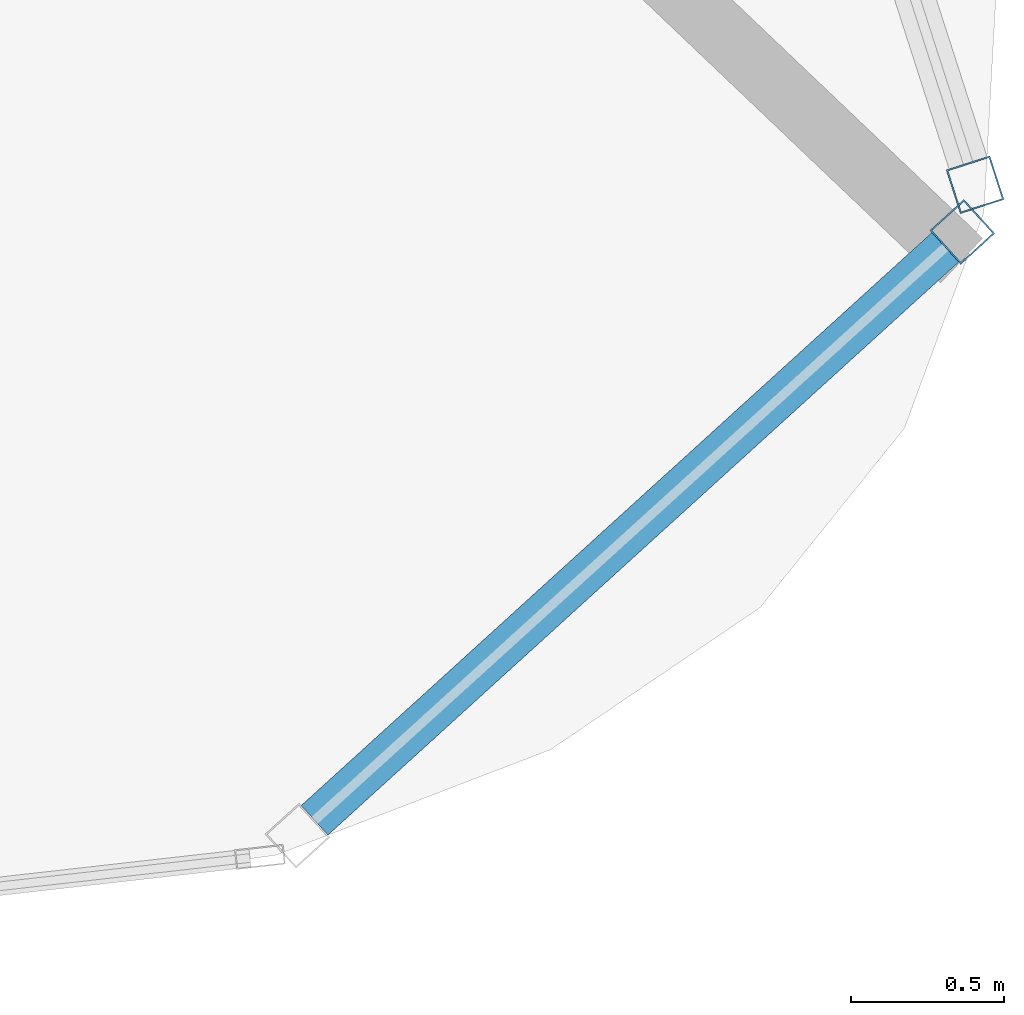
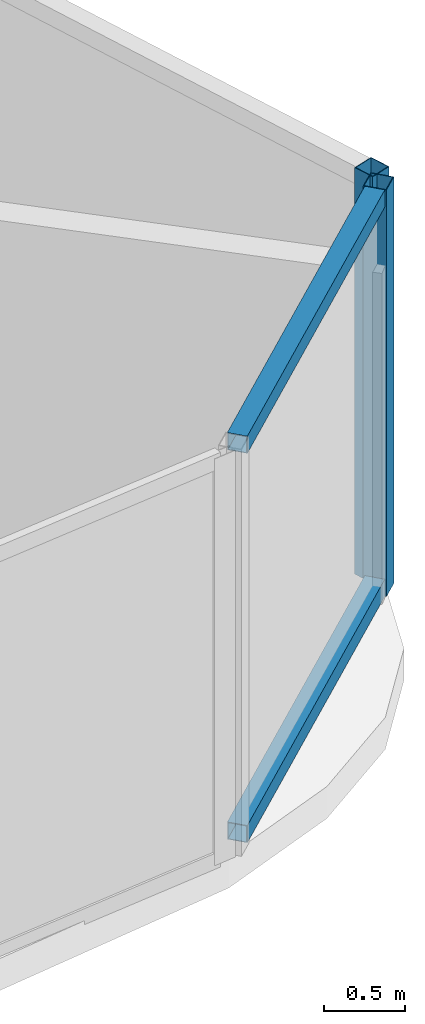
# One storey, part 15 of 32: 4 members, 2 elements without a shape of their own.
"""IFC4 building model written with IfcOpenShell, lengths in metres."""

from ifc_helpers import new_model, si_unit, direction, frame, origin, origin_2d, place, context, subcontext, project, spatial, hollow_rectangle, extrude, material, layer, layer_set, material_profile, profile_set, type_object, element, aggregate, save


model = new_model("IFC4")

# Units and contexts
model_context = context("Model", 3, precision=1e-05, world=origin(), true_north=direction((0.0, 1.0)))
body_context = subcontext(model_context, "Body", "Model", "MODEL_VIEW")
ifc_project = project(units=[si_unit("LENGTHUNIT", "METRE"), si_unit("AREAUNIT", "SQUARE_METRE"), si_unit("VOLUMEUNIT", "CUBIC_METRE"), si_unit("PLANEANGLEUNIT", "RADIAN"), si_unit("MASSUNIT", "GRAM", prefix="KILO")], contexts=[model_context])

# Site, building, storey
site_placement = place(None, origin())
site = spatial("IfcSite", under=ifc_project, at=site_placement, CompositionType="ELEMENT")
building_placement = place(site_placement, origin())
building = spatial("IfcBuilding", under=site, at=building_placement, Name="Orvanel Arch Residences", CompositionType="ELEMENT")
storey_placement = place(building_placement, frame((0.0, 0.0, 222.800048828125)))
storey = spatial("IfcBuildingStorey", under=building, at=storey_placement, Name="L63", CompositionType="ELEMENT", Elevation=222.800048828125)

# Curtain wall, member
ifc_material = material(Name="Bronze-anodised aluminium AA6063-T6", Category="aluminium")
ifc_layer = layer(ifc_material, 0.18994140625)
ifc_layer_set = layer_set([ifc_layer], Name="Bronze-anodised aluminium AA6063-T6")
curtain_wall_type = type_object("IfcCurtainWallType", Name="CW5-CRN-SYS", PredefinedType="NOTDEFINED", material=ifc_layer_set)
curtain_wall_1_placement = place(storey_placement, origin())
curtain_wall_1 = element("IfcCurtainWall", 1, at=curtain_wall_1_placement, inside=storey, type_object=curtain_wall_type, Name="L63 CW5-CRN-SYS Unitised Curtain Wall", PredefinedType="NOTDEFINED")
ifc_material_profile_1 = material_profile(ifc_material, hollow_rectangle(XDim=0.14990234375, YDim=0.14990234375, WallThickness=0.0048828125, at=origin_2d()), Name="ALU150x150x5")
ifc_profile_set_1 = profile_set([ifc_material_profile_1], Name="Bronze-anodised aluminium AA6063-T6")
member_type_1 = type_object("IfcMemberType", Name="MUL-150x150", PredefinedType="MULLION", material=ifc_profile_set_1)
member_1_placement = place(storey_placement, frame((56.0615234375, 8.656494140625, 0.0), z_axis=(0.0, 0.0, 1.0), x_axis=(-0.672365707037, 0.740219127016, 0.0)))
member_1 = element("IfcMember", 2, at=member_1_placement, type_object=member_type_1, Name="CW-S5 mullion 2", PredefinedType="MULLION", context=body_context, shape_type="SweptSolid", body=[
    extrude(hollow_rectangle(XDim=0.14990234375, YDim=0.14990234375, WallThickness=0.0048828125, at=origin_2d()), origin(), (0.0, 0.0, 1.0), 3.06005859375),
])

curtain_wall_2_placement = place(storey_placement, origin())
curtain_wall_2 = element("IfcCurtainWall", 3, at=curtain_wall_2_placement, inside=storey, type_object=curtain_wall_type, Name="L63 CW5-CRN-SYS Unitised Curtain Wall", PredefinedType="NOTDEFINED")
member_2_placement = place(storey_placement, frame((56.10302734375, 8.810302734375, 0.0), z_axis=(0.0, 0.0, 1.0), x_axis=(-0.951837092592, -0.306604222357, 0.0)))
member_2 = element("IfcMember", 4, at=member_2_placement, type_object=member_type_1, Name="CW-S5 mullion 1", PredefinedType="MULLION", context=body_context, shape_type="SweptSolid", body=[
    extrude(hollow_rectangle(XDim=0.14990234375, YDim=0.14990234375, WallThickness=0.0048828125, at=origin_2d()), origin(), (0.0, 0.0, 1.0), 3.06005859375),
])
aggregate(curtain_wall_2, [member_2])

# Member
ifc_material_profile_2 = material_profile(ifc_material, hollow_rectangle(XDim=0.1298828125, YDim=0.1298828125, WallThickness=0.00439453125, at=origin_2d()), Name="ALU130x130x4.5")
ifc_profile_set_2 = profile_set([ifc_material_profile_2], Name="Bronze-anodised aluminium AA6063-T6")
member_type_2 = type_object("IfcMemberType", Name="TRN-130x130", PredefinedType="USERDEFINED", material=ifc_profile_set_2)
member_3_placement = place(storey_placement, frame((53.947998046875, 6.73681640625, 0.06494140625), z_axis=(0.74019035374, 0.672397382677, 0.0), x_axis=(-0.672397382677, 0.74019035374, 0.0)))
member_3 = element("IfcMember", 5, at=member_3_placement, type_object=member_type_2, Name="CW-S5 transom 1.1", ObjectType="TRANSOM", PredefinedType="USERDEFINED", context=body_context, shape_type="SweptSolid", body=[
    extrude(hollow_rectangle(XDim=0.1298828125, YDim=0.1298828125, WallThickness=0.00439453125, at=origin_2d()), origin(), (0.0, 0.0, 1.0), 2.7802734375),
])

member_4_placement = place(storey_placement, frame((53.947998046875, 6.73681640625, 2.994873046875), z_axis=(0.74019035374, 0.672397382677, 0.0), x_axis=(-0.672397382677, 0.74019035374, 0.0)))
member_4 = element("IfcMember", 6, at=member_4_placement, type_object=member_type_2, Name="CW-S5 transom 1.2", ObjectType="TRANSOM", PredefinedType="USERDEFINED", context=body_context, shape_type="SweptSolid", body=[
    extrude(hollow_rectangle(XDim=0.1298828125, YDim=0.1298828125, WallThickness=0.00439453125, at=origin_2d()), origin(), (0.0, 0.0, 1.0), 2.7802734375),
])

aggregate(curtain_wall_1, [member_1, member_3, member_4])

save(model, "model.ifc")
